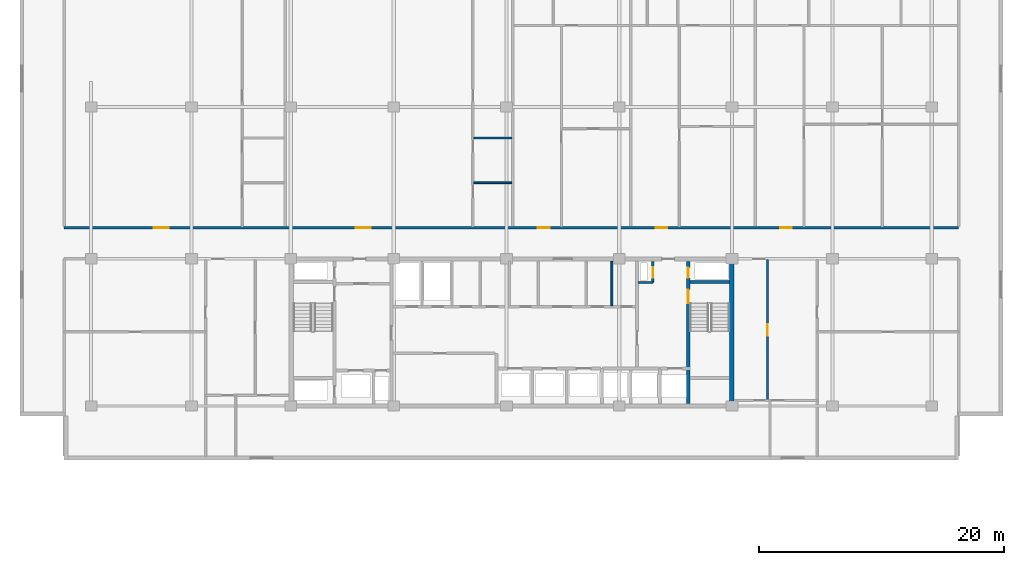
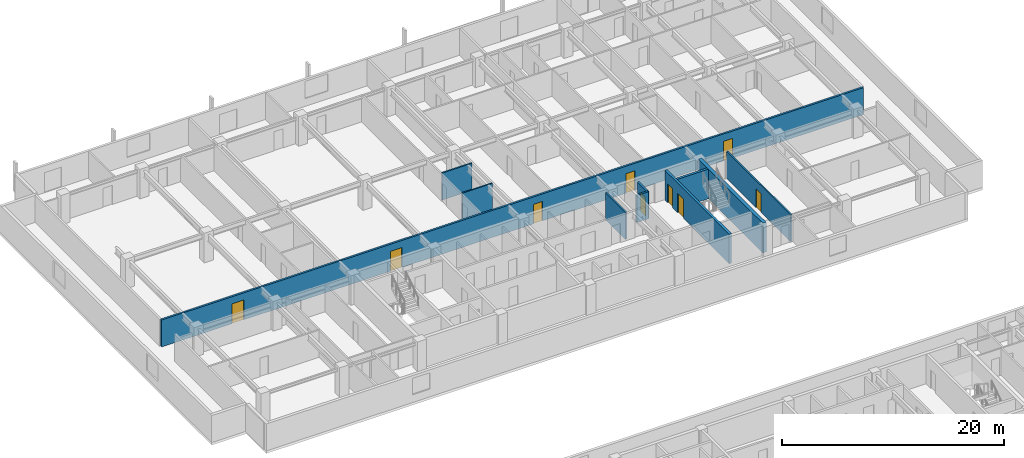
# One storey, part 12 of 21: 10 walls, 9 doors, 9 openings.
"""IFC4 building model written with IfcOpenShell, lengths in metres."""

from ifc_helpers import new_model, si_unit, direction, frame, frame_2d, origin, place, context, subcontext, project, spatial, rectangle, extrude, material, layer, layer_set, type_object, element, fill, save


model = new_model("IFC4")

# Units and contexts
model_context = context("Model", 3, precision=1e-05, world=origin(), true_north=direction((0.0, 1.0)))
body_context = subcontext(model_context, "Body", "Model", "MODEL_VIEW")
ifc_project = project(units=[si_unit("LENGTHUNIT", "METRE"), si_unit("AREAUNIT", "SQUARE_METRE"), si_unit("VOLUMEUNIT", "CUBIC_METRE"), si_unit("PLANEANGLEUNIT", "RADIAN"), si_unit("MASSUNIT", "GRAM", prefix="KILO")], contexts=[model_context])

# Site, building, storey
site_placement = place(None, origin())
site = spatial("IfcSite", under=ifc_project, at=site_placement, CompositionType="ELEMENT")
building_placement = place(site_placement, origin())
building = spatial("IfcBuilding", under=site, at=building_placement, Name="Korimba Cascade Residences", CompositionType="ELEMENT")
storey_placement = place(building_placement, frame((0.0, 0.0, 100.300048828125)))
storey = spatial("IfcBuildingStorey", under=building, at=storey_placement, Name="L28", CompositionType="ELEMENT", Elevation=100.300048828125)

# Wall
ifc_material_1 = material(Name="Concrete C65/80", Category="concrete")
ifc_layer_1 = layer(ifc_material_1, 0.35009765625)
ifc_layer_set_1 = layer_set([ifc_layer_1], Name="Concrete C65/80")
wall_type_1 = type_object("IfcWallType", Name="WAL-CORE-350", PredefinedType="SHEAR", material=ifc_layer_set_1)
wall_1_placement = place(storey_placement, frame((112.074951171875, 55.375, 0.0), z_axis=(0.0, 0.0, 1.0), x_axis=(0.0, 1.0, 0.0)))
element("IfcWall", 1, at=wall_1_placement, inside=storey, type_object=wall_type_1, Name="L28 Core Shear Wall CW-L28-T1-E", PredefinedType="SHEAR", context=body_context, shape_type="SweptSolid", body=[
    extrude(rectangle(XDim=11.64990234375, YDim=0.35009765625, at=frame_2d((5.824951171875, 0.0))), origin(), (0.0, 0.0, 1.0), 3.25),
])

# Wall, openings, doors
ifc_material_2 = material(Name="Precast concrete C40/50", Category="concrete")
ifc_layer_2 = layer(ifc_material_2, 0.199951171875)
ifc_layer_set_2 = layer_set([ifc_layer_2], Name="Precast concrete C40/50")
wall_type_2 = type_object("IfcWallType", Name="WAL-IT-200", PredefinedType="PARTITIONING", material=ifc_layer_set_2)
wall_2_placement = place(storey_placement, frame((57.60009765625, 69.75, 0.0), z_axis=(0.0, 0.0, 1.0), x_axis=(1.0, 0.0, 0.0)))
wall_2 = element("IfcWall", 2, at=wall_2_placement, inside=storey, type_object=wall_type_2, Name="L28 Partition Wall WAL-L28-T1-CORN", PredefinedType="PARTITIONING", context=body_context, shape_type="SweptSolid", body=[
    extrude(rectangle(XDim=73.0, YDim=0.199951171875, at=frame_2d((36.5, 0.0))), origin(), (0.0, 0.0, 1.0), 2.969970703125),
])
opening_1_placement = place(wall_2_placement, frame((7.326171875, 0.0, 0.0)))
opening_1 = element("IfcOpeningElement", 3, at=opening_1_placement, cuts=wall_2, Name="Opening D-AM1", PredefinedType="OPENING", context=body_context, shape_type="SweptSolid", body=[
    extrude(rectangle(XDim=1.219970703125, YDim=2.179931640625, at=frame_2d((0.60986328125, 1.08984375))), frame((0.0, 0.10986328125, 0.0), z_axis=(0.0, -1.0, 0.0), x_axis=(1.0, 0.0, 0.0)), (0.0, 0.0, 1.0), 0.219970703125),
])
opening_2_placement = place(wall_2_placement, frame((23.79541015625, 0.0, 0.0)))
opening_2 = element("IfcOpeningElement", 4, at=opening_2_placement, cuts=wall_2, Name="Opening D-AM1", PredefinedType="OPENING", context=body_context, shape_type="SweptSolid", body=[
    extrude(rectangle(XDim=1.219970703125, YDim=2.179931640625, at=frame_2d((0.60986328125, 1.08984375))), frame((0.0, 0.10986328125, 0.0), z_axis=(0.0, -1.0, 0.0), x_axis=(1.0, 0.0, 0.0)), (0.0, 0.0, 1.0), 0.219970703125),
])
opening_3_placement = place(wall_2_placement, frame((38.669921875, 0.0, 0.0)))
opening_3 = element("IfcOpeningElement", 5, at=opening_3_placement, cuts=wall_2, Name="Opening D-UN1", PredefinedType="OPENING", context=body_context, shape_type="SweptSolid", body=[
    extrude(rectangle(XDim=0.949951171875, YDim=2.14990234375, at=frame_2d((0.47509765625, 1.074951171875))), frame((0.0, 0.10986328125, 0.0), z_axis=(0.0, -1.0, 0.0), x_axis=(1.0, 0.0, 0.0)), (0.0, 0.0, 1.0), 0.219970703125),
])
opening_4_placement = place(wall_2_placement, frame((48.279052734375, 0.0, 0.0)))
opening_4 = element("IfcOpeningElement", 6, at=opening_4_placement, cuts=wall_2, Name="Opening D-UN1", PredefinedType="OPENING", context=body_context, shape_type="SweptSolid", body=[
    extrude(rectangle(XDim=0.949951171875, YDim=2.14990234375, at=frame_2d((0.47509765625, 1.074951171875))), frame((0.0, 0.10986328125, 0.0), z_axis=(0.0, -1.0, 0.0), x_axis=(1.0, 0.0, 0.0)), (0.0, 0.0, 1.0), 0.219970703125),
])
opening_5_placement = place(wall_2_placement, frame((58.448974609375, 0.0, 0.0)))
opening_5 = element("IfcOpeningElement", 7, at=opening_5_placement, cuts=wall_2, Name="Opening D-UN1", PredefinedType="OPENING", context=body_context, shape_type="SweptSolid", body=[
    extrude(rectangle(XDim=0.949951171875, YDim=2.14990234375, at=frame_2d((0.47509765625, 1.074951171875))), frame((0.0, 0.10986328125, 0.0), z_axis=(0.0, -1.0, 0.0), x_axis=(1.0, 0.0, 0.0)), (0.0, 0.0, 1.0), 0.219970703125),
])
ifc_material_3 = material(Name="Fire-Rated Glazed Timber Suite Door", Category="wood")
door_type_1 = type_object("IfcDoorType", Name="DR-FD60-1200", OperationType="NOTDEFINED", PredefinedType="DOOR", material=ifc_material_3)
door_1_placement = place(opening_1_placement, origin())
door_1 = element("IfcDoor", 8, at=door_1_placement, inside=storey, type_object=door_type_1, Name="L28-T1-U01 Business Collaboration Office Door", OperationType="SINGLE_SWING_LEFT", OverallHeight=2.179931640625, OverallWidth=1.219970703125, PredefinedType="DOOR", context=body_context, shape_type="SweptSolid", body=[
    extrude(rectangle(XDim=1.219970703125, YDim=2.179931640625, at=frame_2d((0.60986328125, 1.08984375))), frame((0.0, 0.02490234375, 0.0), z_axis=(0.0, -1.0, 0.0), x_axis=(1.0, 0.0, 0.0)), (0.0, 0.0, 1.0), 0.050048828125),
])
fill(opening_1, door_1)
door_2_placement = place(opening_2_placement, origin())
door_2 = element("IfcDoor", 9, at=door_2_placement, inside=storey, type_object=door_type_1, Name="L28-T1-U02 Resident Conference Room Door", OperationType="SINGLE_SWING_RIGHT", OverallHeight=2.179931640625, OverallWidth=1.219970703125, PredefinedType="DOOR", context=body_context, shape_type="SweptSolid", body=[
    extrude(rectangle(XDim=1.219970703125, YDim=2.179931640625, at=frame_2d((0.60986328125, 1.08984375))), frame((0.0, 0.02490234375, 0.0), z_axis=(0.0, -1.0, 0.0), x_axis=(1.0, 0.0, 0.0)), (0.0, 0.0, 1.0), 0.050048828125),
])
fill(opening_2, door_2)
ifc_material_4 = material(Name="Fire-Rated Hardwood Apartment Entrance Door", Category="wood")
door_type_2 = type_object("IfcDoorType", Name="DR-FD60-950", OperationType="NOTDEFINED", PredefinedType="DOOR", material=ifc_material_4)
door_3_placement = place(opening_3_placement, origin())
door_3 = element("IfcDoor", 10, at=door_3_placement, inside=storey, type_object=door_type_2, Name="Unit L28-T1-U03 Entrance Door", OperationType="SINGLE_SWING_LEFT", OverallHeight=2.14990234375, OverallWidth=0.949951171875, PredefinedType="DOOR", context=body_context, shape_type="SweptSolid", body=[
    extrude(rectangle(XDim=0.949951171875, YDim=2.14990234375, at=frame_2d((0.47509765625, 1.074951171875))), frame((0.0, 0.02490234375, 0.0), z_axis=(0.0, -1.0, 0.0), x_axis=(1.0, 0.0, 0.0)), (0.0, 0.0, 1.0), 0.050048828125),
])
fill(opening_3, door_3)
door_4_placement = place(opening_4_placement, origin())
door_4 = element("IfcDoor", 11, at=door_4_placement, inside=storey, type_object=door_type_2, Name="Unit L28-T1-U04 Entrance Door", OperationType="SINGLE_SWING_RIGHT", OverallHeight=2.14990234375, OverallWidth=0.949951171875, PredefinedType="DOOR", context=body_context, shape_type="SweptSolid", body=[
    extrude(rectangle(XDim=0.949951171875, YDim=2.14990234375, at=frame_2d((0.47509765625, 1.074951171875))), frame((0.0, 0.02490234375, 0.0), z_axis=(0.0, -1.0, 0.0), x_axis=(1.0, 0.0, 0.0)), (0.0, 0.0, 1.0), 0.050048828125),
])
fill(opening_4, door_4)
door_5_placement = place(opening_5_placement, origin())
door_5 = element("IfcDoor", 12, at=door_5_placement, inside=storey, type_object=door_type_2, Name="Unit L28-T1-U05 Entrance Door", OperationType="SINGLE_SWING_LEFT", OverallHeight=2.14990234375, OverallWidth=0.949951171875, PredefinedType="DOOR", context=body_context, shape_type="SweptSolid", body=[
    extrude(rectangle(XDim=0.949951171875, YDim=2.14990234375, at=frame_2d((0.47509765625, 1.074951171875))), frame((0.0, 0.02490234375, 0.0), z_axis=(0.0, -1.0, 0.0), x_axis=(1.0, 0.0, 0.0)), (0.0, 0.0, 1.0), 0.050048828125),
])
fill(opening_5, door_5)

# Wall
ifc_material_5 = material(Name="Insulated Acoustic Stud Partition", Category="gypsum")
ifc_layer_3 = layer(ifc_material_5, 0.14990234375)
ifc_layer_set_3 = layer_set([ifc_layer_3], Name="Insulated Acoustic Stud Partition")
wall_type_3 = type_object("IfcWallType", Name="WAL-PART-150", PredefinedType="PARTITIONING", material=ifc_layer_set_3)
wall_3_placement = place(storey_placement, frame((102.300048828125, 63.39990234375, 0.0), z_axis=(0.0, 0.0, 1.0), x_axis=(0.0, 1.0, 0.0)))
element("IfcWall", 13, at=wall_3_placement, inside=storey, type_object=wall_type_3, Name="L28 Partition Wall CW-L28-T1-CA1E1", PredefinedType="PARTITIONING", context=body_context, shape_type="SweptSolid", body=[
    extrude(rectangle(XDim=3.60009765625, YDim=0.14990234375, at=frame_2d((1.800048828125, 0.0))), origin(), (0.0, 0.0, 1.0), 2.969970703125),
])

# Wall, opening, door
wall_4_placement = place(storey_placement, frame((115.0, 55.64990234375, 0.0), z_axis=(0.0, 0.0, 1.0), x_axis=(0.0, 1.0, 0.0)))
wall_4 = element("IfcWall", 14, at=wall_4_placement, inside=storey, type_object=wall_type_3, Name="L28 Partition Wall WAL-L28-T1-FE-VN", PredefinedType="PARTITIONING", context=body_context, shape_type="SweptSolid", body=[
    extrude(rectangle(XDim=11.5, YDim=0.14990234375, at=frame_2d((5.75, 0.0))), origin(), (0.0, 0.0, 1.0), 2.969970703125),
])
opening_6_placement = place(wall_4_placement, frame((5.2900390625, 0.0, 0.0)))
opening_6 = element("IfcOpeningElement", 15, at=opening_6_placement, cuts=wall_4, Name="Opening D-IN1", PredefinedType="OPENING", context=body_context, shape_type="SweptSolid", body=[
    extrude(rectangle(XDim=0.919921875, YDim=2.080078125, at=frame_2d((0.4599609375, 1.0400390625))), frame((0.0, 0.0849609375, 0.0), z_axis=(0.0, -1.0, 0.0), x_axis=(1.0, 0.0, 0.0)), (0.0, 0.0, 1.0), 0.169921875),
])
ifc_material_6 = material(Name="Acoustic Timber Living Door", Category="wood")
door_type_3 = type_object("IfcDoorType", Name="DR-INT-920", OperationType="NOTDEFINED", PredefinedType="DOOR", material=ifc_material_6)
door_6_placement = place(opening_6_placement, origin())
door_6 = element("IfcDoor", 16, at=door_6_placement, inside=storey, type_object=door_type_3, Name="L28-T1-FE Living Door", OperationType="SINGLE_SWING_RIGHT", OverallHeight=2.080078125, OverallWidth=0.919921875, PredefinedType="DOOR", context=body_context, shape_type="SweptSolid", body=[
    extrude(rectangle(XDim=0.919921875, YDim=2.080078125, at=frame_2d((0.4599609375, 1.0400390625))), frame((0.0, 0.02490234375, 0.0), z_axis=(0.0, -1.0, 0.0), x_axis=(1.0, 0.0, 0.0)), (0.0, 0.0, 1.0), 0.050048828125),
])
fill(opening_6, door_6)

# Walls
for number, where, z_axis, x_axis, name in (
    (17, (91.014892578125, 73.419921875, 0.0), (0.0, 0.0, 1.0), (1.0, 0.0, 0.0), "L28 Partition Wall WAL-L28-T1-U02-WCH"),
    (18, (91.014892578125, 77.070068359375, 0.0), (0.0, 0.0, 1.0), (1.0, 0.0, 0.0), "L28 Partition Wall WAL-L28-T1-U02-WCH2"),
):
    element("IfcWall", number, at=place(storey_placement, frame(where, z_axis=z_axis, x_axis=x_axis)), inside=storey, type_object=wall_type_3, Name=name, PredefinedType="PARTITIONING", context=body_context, shape_type="SweptSolid", body=[
        extrude(rectangle(XDim=3.130126953125, YDim=0.14990234375, at=frame_2d((1.56494140625, 0.0))), origin(), (0.0, 0.0, 1.0), 2.969970703125),
    ])
ifc_material_7 = material(Name="Concrete C40/50", Category="concrete")
ifc_layer_4 = layer(ifc_material_7, 0.199951171875)
ifc_layer_set_4 = layer_set([ifc_layer_4], Name="Concrete C40/50")
wall_type_4 = type_object("IfcWallType", Name="WAL-PART-200", PredefinedType="PARTITIONING", material=ifc_layer_set_4)
wall_5_placement = place(storey_placement, frame((104.449951171875, 65.280029296875, 0.0), z_axis=(0.0, 0.0, 1.0), x_axis=(1.0, 0.0, 0.0)))
element("IfcWall", 19, at=wall_5_placement, inside=storey, type_object=wall_type_4, Name="L28 Partition Wall CW-L28-T1-HYDW2S", PredefinedType="PARTITIONING", context=body_context, shape_type="SweptSolid", body=[
    extrude(rectangle(XDim=1.199951171875, YDim=0.199951171875, at=frame_2d((0.60009765625, 0.0))), origin(), (0.0, 0.0, 1.0), 2.969970703125),
])

# Wall, opening, door
wall_6_placement = place(storey_placement, frame((105.64990234375, 65.280029296875, 0.0), z_axis=(0.0, 0.0, 1.0), x_axis=(0.0, 1.0, 0.0)))
wall_6 = element("IfcWall", 20, at=wall_6_placement, inside=storey, type_object=wall_type_4, Name="L28 Partition Wall CW-L28-T1-HYDW2E", PredefinedType="PARTITIONING", context=body_context, shape_type="SweptSolid", body=[
    extrude(rectangle(XDim=1.719970703125, YDim=0.199951171875, at=frame_2d((0.85986328125, 0.0))), origin(), (0.0, 0.0, 1.0), 2.969970703125),
])
opening_7_placement = place(wall_6_placement, frame((0.39990234375, 0.0, 0.0)))
opening_7 = element("IfcOpeningElement", 21, at=opening_7_placement, cuts=wall_6, Name="Opening D-RS1", PredefinedType="OPENING", context=body_context, shape_type="SweptSolid", body=[
    extrude(rectangle(XDim=0.85009765625, YDim=2.050048828125, at=frame_2d((0.425048828125, 1.02490234375))), frame((0.0, 0.10986328125, 0.0), z_axis=(0.0, -1.0, 0.0), x_axis=(1.0, 0.0, 0.0)), (0.0, 0.0, 1.0), 0.219970703125),
])
ifc_material_8 = material(Name="Fire-Rated Steel Riser Access Door", Category="steel")
door_type_4 = type_object("IfcDoorType", Name="DR-FD60-850", OperationType="NOTDEFINED", PredefinedType="DOOR", material=ifc_material_8)
door_7_placement = place(opening_7_placement, origin())
door_7 = element("IfcDoor", 22, at=door_7_placement, inside=storey, type_object=door_type_4, Name="L28 East Hydrant Door", OperationType="SINGLE_SWING_RIGHT", OverallHeight=2.050048828125, OverallWidth=0.85009765625, PredefinedType="DOOR", context=body_context, shape_type="SweptSolid", body=[
    extrude(rectangle(XDim=0.85009765625, YDim=2.050048828125, at=frame_2d((0.425048828125, 1.02490234375))), frame((0.0, 0.02490234375, 0.0), z_axis=(0.0, -1.0, 0.0), x_axis=(1.0, 0.0, 0.0)), (0.0, 0.0, 1.0), 0.050048828125),
])
fill(opening_7, door_7)

# Wall, openings, doors
ifc_material_9 = material(Name="Concrete C50/60", Category="concrete")
ifc_layer_5 = layer(ifc_material_9, 0.25)
ifc_layer_set_5 = layer_set([ifc_layer_5], Name="Concrete C50/60")
wall_type_5 = type_object("IfcWallType", Name="WAL-SHAFT-250", PredefinedType="SHEAR", material=ifc_layer_set_5)
wall_7_placement = place(storey_placement, frame((108.534912109375, 55.39990234375, 0.0), z_axis=(0.0, 0.0, 1.0), x_axis=(0.0, 1.0, 0.0)))
wall_7 = element("IfcWall", 23, at=wall_7_placement, inside=storey, type_object=wall_type_5, Name="L28 Core Shear Wall CW-L28-T1-STW2W", PredefinedType="SHEAR", context=body_context, shape_type="SweptSolid", body=[
    extrude(rectangle(XDim=11.60009765625, YDim=0.25, at=frame_2d((5.800048828125, 0.0))), origin(), (0.0, 0.0, 1.0), 3.25),
])
opening_8_placement = place(wall_7_placement, frame((8.199951171875, 0.0, 0.0)))
opening_8 = element("IfcOpeningElement", 24, at=opening_8_placement, cuts=wall_7, Name="Opening D-FD1", PredefinedType="OPENING", context=body_context, shape_type="SweptSolid", body=[
    extrude(rectangle(XDim=1.10009765625, YDim=2.10009765625, at=frame_2d((0.550048828125, 1.050048828125))), frame((0.0, 0.135009765625, 0.0), z_axis=(0.0, -1.0, 0.0), x_axis=(1.0, 0.0, 0.0)), (0.0, 0.0, 1.0), 0.27001953125),
])
opening_9_placement = place(wall_7_placement, frame((10.25, 0.0, 0.0)))
opening_9 = element("IfcOpeningElement", 25, at=opening_9_placement, cuts=wall_7, Name="Opening D-RS1", PredefinedType="OPENING", context=body_context, shape_type="SweptSolid", body=[
    extrude(rectangle(XDim=0.85009765625, YDim=2.050048828125, at=frame_2d((0.425048828125, 1.02490234375))), frame((0.0, 0.135009765625, 0.0), z_axis=(0.0, -1.0, 0.0), x_axis=(1.0, 0.0, 0.0)), (0.0, 0.0, 1.0), 0.27001953125),
])
ifc_material_10 = material(Name="Fire-Rated Steel Core Door", Category="steel")
door_type_5 = type_object("IfcDoorType", Name="DR-FD120-1100", OperationType="NOTDEFINED", PredefinedType="DOOR", material=ifc_material_10)
door_8_placement = place(opening_8_placement, origin())
door_8 = element("IfcDoor", 26, at=door_8_placement, inside=storey, type_object=door_type_5, Name="L28 Fire Stair ST-W2 Door", OperationType="SINGLE_SWING_RIGHT", OverallHeight=2.10009765625, OverallWidth=1.10009765625, PredefinedType="DOOR", context=body_context, shape_type="SweptSolid", body=[
    extrude(rectangle(XDim=1.10009765625, YDim=2.10009765625, at=frame_2d((0.550048828125, 1.050048828125))), frame((0.0, 0.02490234375, 0.0), z_axis=(0.0, -1.0, 0.0), x_axis=(1.0, 0.0, 0.0)), (0.0, 0.0, 1.0), 0.050048828125),
])
fill(opening_8, door_8)
door_9_placement = place(opening_9_placement, origin())
door_9 = element("IfcDoor", 27, at=door_9_placement, inside=storey, type_object=door_type_4, Name="L28 East Riser Door", OperationType="SINGLE_SWING_LEFT", OverallHeight=2.050048828125, OverallWidth=0.85009765625, PredefinedType="DOOR", context=body_context, shape_type="SweptSolid", body=[
    extrude(rectangle(XDim=0.85009765625, YDim=2.050048828125, at=frame_2d((0.425048828125, 1.02490234375))), frame((0.0, 0.02490234375, 0.0), z_axis=(0.0, -1.0, 0.0), x_axis=(1.0, 0.0, 0.0)), (0.0, 0.0, 1.0), 0.050048828125),
])
fill(opening_9, door_9)

# Wall
wall_8_placement = place(storey_placement, frame((108.659912109375, 65.324951171875, 0.0), z_axis=(0.0, 0.0, 1.0), x_axis=(1.0, 0.0, 0.0)))
element("IfcWall", 28, at=wall_8_placement, inside=storey, type_object=wall_type_5, Name="L28 Core Shear Wall CW-L28-T1-STW2N", PredefinedType="SHEAR", context=body_context, shape_type="SweptSolid", body=[
    extrude(rectangle(XDim=3.239990234375, YDim=0.25, at=frame_2d((1.6201171875, 0.0))), origin(), (0.0, 0.0, 1.0), 3.25),
])

save(model, "model.ifc")
